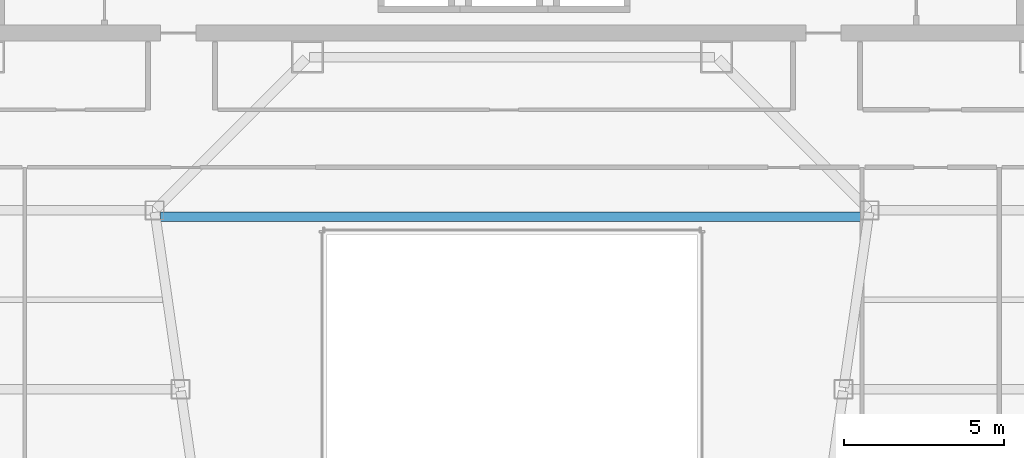
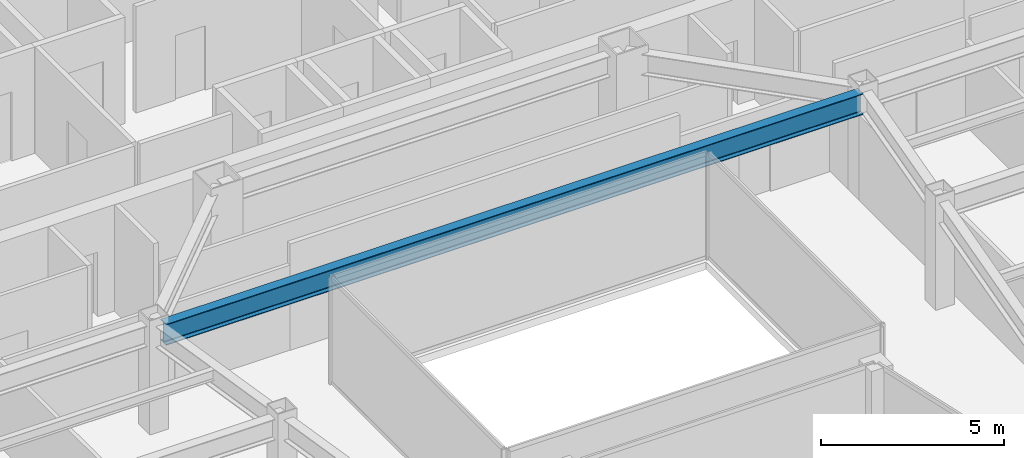
# One storey, part 13 of 35: 1 beam.
"""IFC4 building model written with IfcOpenShell, lengths in metres."""

from ifc_helpers import new_model, si_unit, direction, frame, origin, origin_2d, place, context, subcontext, project, spatial, i_section, extrude, material, material_profile, profile_set, type_object, element, save


model = new_model("IFC4")

# Units and contexts
model_context = context("Model", 3, precision=1e-05, world=origin(), true_north=direction((0.0, 1.0)))
body_context = subcontext(model_context, "Body", "Model", "MODEL_VIEW")
ifc_project = project(units=[si_unit("LENGTHUNIT", "METRE"), si_unit("AREAUNIT", "SQUARE_METRE"), si_unit("VOLUMEUNIT", "CUBIC_METRE"), si_unit("PLANEANGLEUNIT", "RADIAN"), si_unit("MASSUNIT", "GRAM", prefix="KILO")], contexts=[model_context])

# Site, building, storey
site_placement = place(None, origin())
site = spatial("IfcSite", under=ifc_project, at=site_placement, CompositionType="ELEMENT")
building_placement = place(site_placement, origin())
building = spatial("IfcBuilding", under=site, at=building_placement, Name="Saevonmaru Cultural Tower", CompositionType="ELEMENT")
storey_placement = place(building_placement, frame((0.0, 0.0, 175.199951171875)))
storey = spatial("IfcBuildingStorey", under=building, at=storey_placement, Name="L39", CompositionType="ELEMENT", Elevation=175.199951171875)

# Beam
ifc_material = material(Name="Steel SM355", Category="steel")
ifc_material_profile = material_profile(ifc_material, i_section(OverallWidth=0.300048828125, OverallDepth=0.699951171875, WebThickness=0.012939453125, FlangeThickness=0.02392578125, FilletRadius=0.02587890625, at=origin_2d()), Name="H-700x300x13x24")
ifc_profile_set = profile_set([ifc_material_profile], Name="Steel SM355")
beam_type = type_object("IfcBeamType", Name="BM-G-H700", PredefinedType="BEAM", material=ifc_profile_set)
beam_placement = place(storey_placement, frame((18.994873046875, 37.39990234375, 3.199951171875), z_axis=(1.0, 0.0, 0.0), x_axis=(0.0, 1.0, 0.0)))
element("IfcBeam", 1, at=beam_placement, inside=storey, type_object=beam_type, Name="L39 Central Link Girder", PredefinedType="BEAM", context=body_context, shape_type="SweptSolid", body=[
    extrude(i_section(OverallWidth=0.300048828125, OverallDepth=0.699951171875, WebThickness=0.012939453125, FlangeThickness=0.02392578125, FilletRadius=0.02587890625, at=origin_2d()), origin(), (0.0, 0.0, 1.0), 22.01025390625),
])

save(model, "model.ifc")
